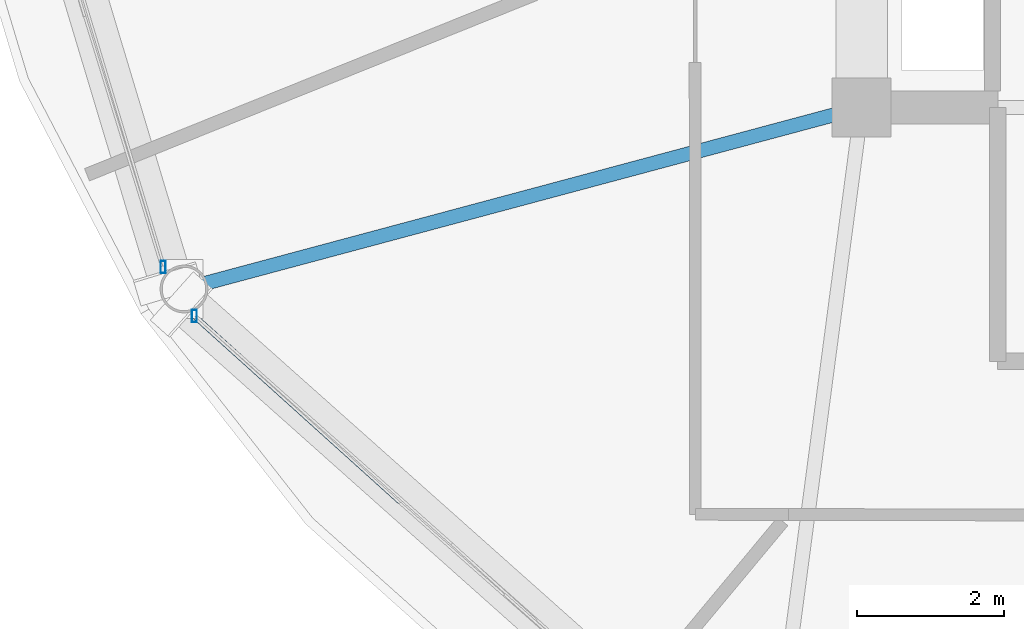
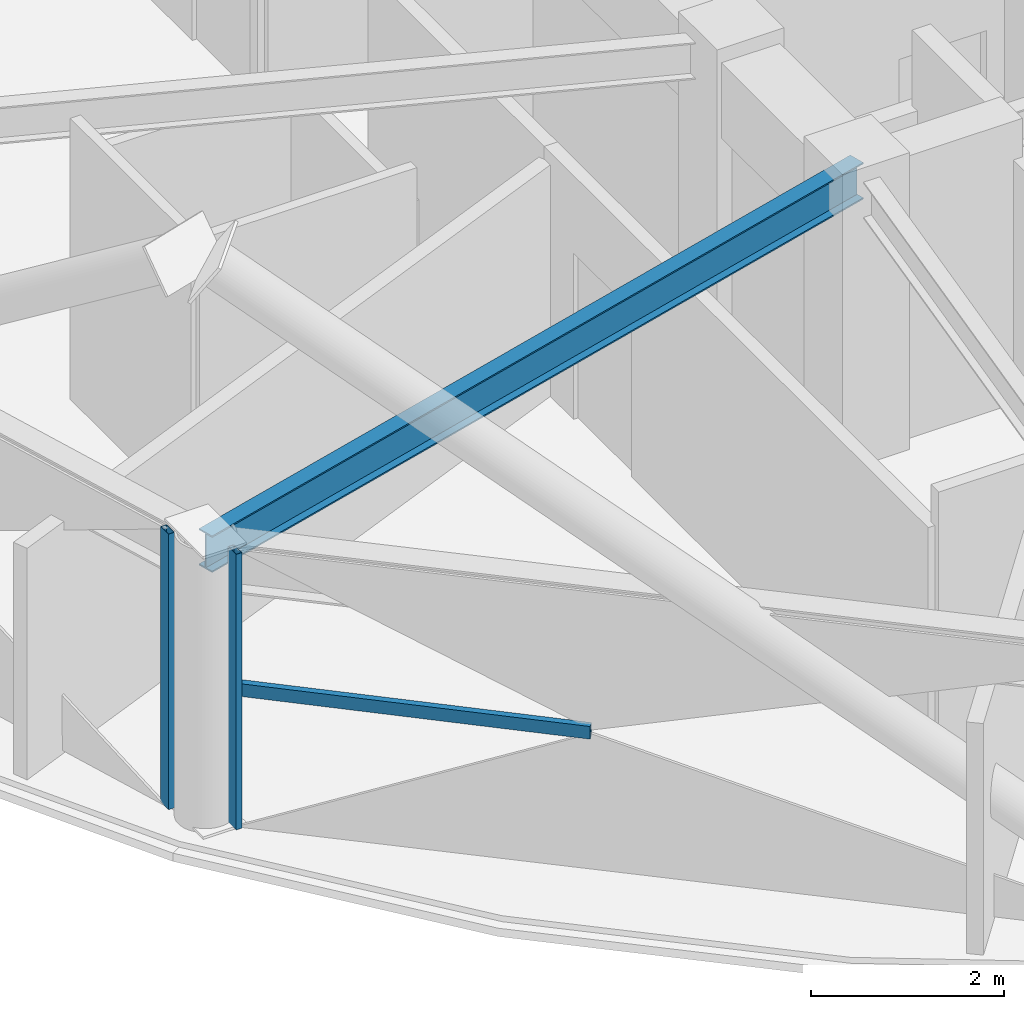
# One storey, part 3 of 28: 3 members, 1 beam, 2 elements without a shape of their own.
"""IFC4 building model written with IfcOpenShell, lengths in metres."""

from ifc_helpers import new_model, si_unit, direction, frame, origin, origin_2d, place, context, subcontext, project, spatial, hollow_rectangle, i_section, extrude, material, layer, layer_set, material_profile, profile_set, type_object, element, aggregate, save


model = new_model("IFC4")

# Units and contexts
model_context = context("Model", 3, precision=1e-05, world=origin(), true_north=direction((0.0, 1.0)))
body_context = subcontext(model_context, "Body", "Model", "MODEL_VIEW")
ifc_project = project(units=[si_unit("LENGTHUNIT", "METRE"), si_unit("AREAUNIT", "SQUARE_METRE"), si_unit("VOLUMEUNIT", "CUBIC_METRE"), si_unit("PLANEANGLEUNIT", "RADIAN"), si_unit("MASSUNIT", "GRAM", prefix="KILO")], contexts=[model_context])

# Site, building, storey
site_placement = place(None, origin())
site = spatial("IfcSite", under=ifc_project, at=site_placement, CompositionType="ELEMENT")
building_placement = place(site_placement, origin())
building = spatial("IfcBuilding", under=site, at=building_placement, Name="Vantalir Tower", CompositionType="ELEMENT")
storey_placement = place(building_placement, frame((0.0, 0.0, 242.39990234375)))
storey = spatial("IfcBuildingStorey", under=building, at=storey_placement, Name="L61", CompositionType="ELEMENT", Elevation=242.39990234375)

# Beam
ifc_material_1 = material(Name="Steel S355", Category="steel")
ifc_material_profile_1 = material_profile(ifc_material_1, i_section(OverallWidth=0.19189453125, OverallDepth=0.462890625, WebThickness=0.010498046875, FlangeThickness=0.017578125, at=origin_2d()), Name="Steel S355")
ifc_profile_set_1 = profile_set([ifc_material_profile_1], Name="Steel S355")
beam_type = type_object("IfcBeamType", Name="BM-RB-457x191", PredefinedType="BEAM", material=ifc_profile_set_1)
beam_placement = place(storey_placement, frame((12.69189453125, 15.3330078125, 3.338134765625), z_axis=(0.965932047749, 0.25879582518, 0.0), x_axis=(-0.25879582518, 0.965932047749, 0.0)))
element("IfcBeam", 1, at=beam_placement, inside=storey, type_object=beam_type, Name="L61 Radial Floor Beam 08", PredefinedType="BEAM", context=body_context, shape_type="SweptSolid", body=[
    extrude(i_section(OverallWidth=0.19189453125, OverallDepth=0.462890625, WebThickness=0.010498046875, FlangeThickness=0.017578125, at=origin_2d()), origin(), (0.0, 0.0, 1.0), 9.53271484375),
])

# Curtain wall, member
ifc_material_2 = material(Name="Champagne-silver PVDF aluminium and double-silver Low-E glass", Category="aluminium")
ifc_layer = layer(ifc_material_2, 0.2099609375)
ifc_layer_set = layer_set([ifc_layer], Name="Champagne-silver PVDF aluminium and double-silver Low-E glass")
curtain_wall_type = type_object("IfcCurtainWallType", Name="CW-DIAMOND-Z3", PredefinedType="USERDEFINED", material=ifc_layer_set)
curtain_wall_1_placement = place(storey_placement, origin())
curtain_wall_1 = element("IfcCurtainWall", 2, at=curtain_wall_1_placement, inside=storey, type_object=curtain_wall_type, Name="L61 Quilted Pyramid-Diamond Curtain Wall S07", ObjectType="UNITISED CURTAIN WALL", PredefinedType="USERDEFINED")
ifc_material_3 = material(Name="Champagne-silver PVDF aluminium 6063-T6", Category="aluminium")
ifc_material_profile_2 = material_profile(ifc_material_3, hollow_rectangle(XDim=0.070068359375, YDim=0.1650390625, WallThickness=0.00390625, at=origin_2d()), Name="Champagne-silver PVDF aluminium 6063-T6")
ifc_profile_set_2 = profile_set([ifc_material_profile_2], Name="Champagne-silver PVDF aluminium 6063-T6")
member_type_1 = type_object("IfcMemberType", Name="CWM-165x70", PredefinedType="MULLION", material=ifc_profile_set_2)
member_1_placement = place(storey_placement, frame((12.408935546875, 15.631103515625, 0.045166015625), z_axis=(0.0, 0.0, 1.0), x_axis=(1.0, 0.0, 0.0)))
member_1 = element("IfcMember", 3, at=member_1_placement, type_object=member_type_1, Name="CW-L61-S07 Mullion 2", PredefinedType="MULLION", context=body_context, shape_type="SweptSolid", body=[
    extrude(hollow_rectangle(XDim=0.070068359375, YDim=0.1650390625, WallThickness=0.00390625, at=origin_2d()), origin(), (0.0, 0.0, 1.0), 3.47998046875),
])
aggregate(curtain_wall_1, [member_1])

# Curtain wall, members
curtain_wall_2_placement = place(storey_placement, origin())
curtain_wall_2 = element("IfcCurtainWall", 4, at=curtain_wall_2_placement, inside=storey, type_object=curtain_wall_type, Name="L61 Quilted Pyramid-Diamond Curtain Wall S08", ObjectType="UNITISED CURTAIN WALL", PredefinedType="USERDEFINED")
member_2_placement = place(storey_placement, frame((12.8330078125, 14.965087890625, 0.045166015625), z_axis=(0.0, 0.0, 1.0), x_axis=(1.0, 0.0, 0.0)))
member_2 = element("IfcMember", 5, at=member_2_placement, type_object=member_type_1, Name="CW-L61-S08 Mullion 1", PredefinedType="MULLION", context=body_context, shape_type="SweptSolid", body=[
    extrude(hollow_rectangle(XDim=0.070068359375, YDim=0.1650390625, WallThickness=0.00390625, at=origin_2d()), origin(), (0.0, 0.0, 1.0), 3.47998046875),
])
ifc_material_profile_3 = material_profile(ifc_material_3, hollow_rectangle(XDim=0.074951171875, YDim=0.159912109375, WallThickness=0.00390625, at=origin_2d()), Name="Champagne-silver PVDF aluminium 6063-T6")
ifc_profile_set_3 = profile_set([ifc_material_profile_3], Name="Champagne-silver PVDF aluminium 6063-T6")
member_type_2 = type_object("IfcMemberType", Name="CWT-160x75", PredefinedType="USERDEFINED", material=ifc_profile_set_3)
member_3_placement = place(storey_placement, frame((12.8330078125, 14.965087890625, 1.78515625), z_axis=(0.742545695103, -0.669795409572, 0.0), x_axis=(0.669795409572, 0.742545695103, 0.0)))
member_3 = element("IfcMember", 6, at=member_3_placement, type_object=member_type_2, Name="CW-L61-S08 Pyramid Fold Ridge Transom", ObjectType="TRANSOM", PredefinedType="USERDEFINED", context=body_context, shape_type="SweptSolid", body=[
    extrude(hollow_rectangle(XDim=0.074951171875, YDim=0.159912109375, WallThickness=0.00390625, at=origin_2d()), origin(), (0.0, 0.0, 1.0), 3.765380859375),
])
aggregate(curtain_wall_2, [member_2, member_3])

save(model, "model.ifc")
